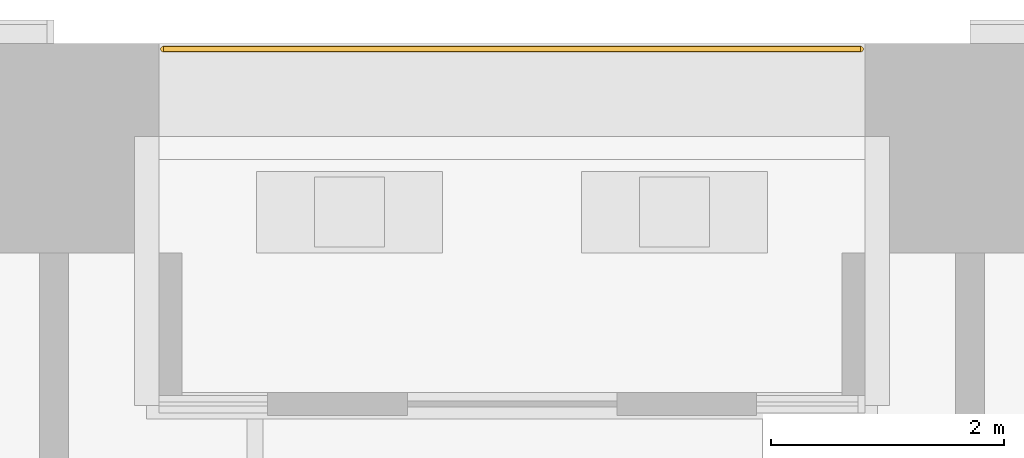
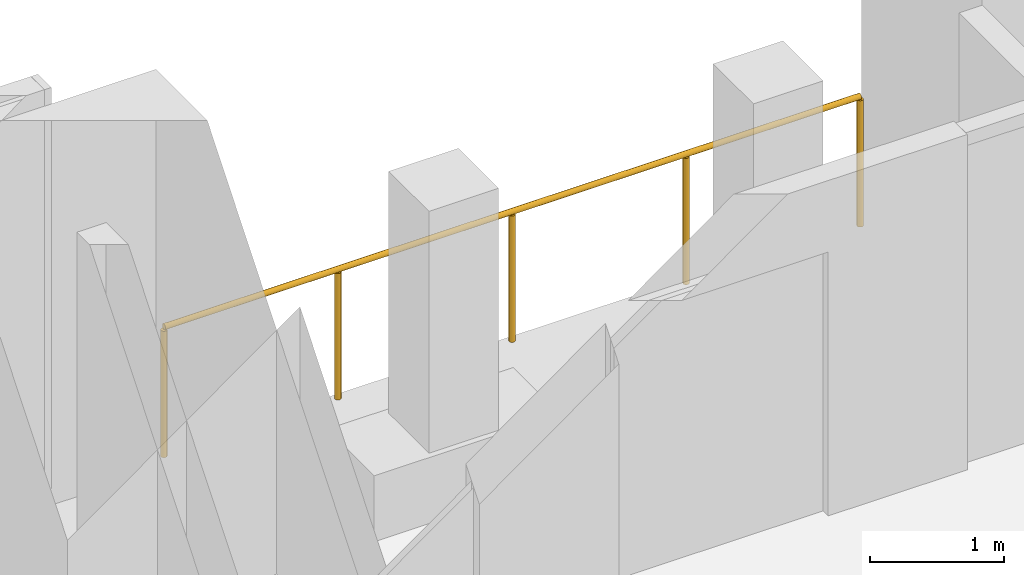
# One storey, part 27 of 28: 1 railing.
"""IFC4 building model written with IfcOpenShell, lengths in metres."""

from ifc_helpers import new_model, si_unit, direction, frame, origin, origin_2d, place, context, subcontext, project, spatial, circle, extrude, material, type_object, element, save


model = new_model("IFC4")

# Units and contexts
model_context = context("Model", 3, precision=1e-05, world=origin(), true_north=direction((0.0, 1.0)))
body_context = subcontext(model_context, "Body", "Model", "MODEL_VIEW")
ifc_project = project(units=[si_unit("LENGTHUNIT", "METRE"), si_unit("AREAUNIT", "SQUARE_METRE"), si_unit("VOLUMEUNIT", "CUBIC_METRE"), si_unit("PLANEANGLEUNIT", "RADIAN"), si_unit("MASSUNIT", "GRAM", prefix="KILO")], contexts=[model_context])

# Site, building, storey
site_placement = place(None, origin())
site = spatial("IfcSite", under=ifc_project, at=site_placement, CompositionType="ELEMENT")
building_placement = place(site_placement, origin())
building = spatial("IfcBuilding", under=site, at=building_placement, Name="Isthmus Gate Tower", CompositionType="ELEMENT")
storey_placement = place(building_placement, frame((0.0, 0.0, 68.85009765625)))
storey = spatial("IfcBuildingStorey", under=building, at=storey_placement, Name="L15", CompositionType="ELEMENT", Elevation=68.85009765625)

# Railing
ifc_material = material(Name="Toughened laminated glass with stainless steel posts", Category="steel")
railing_type = type_object("IfcRailingType", Name="GUARD 1200 FRAMELESS GLASS", PredefinedType="GUARDRAIL", material=ifc_material)
railing_placement = place(storey_placement, frame((-5.977294921875, 31.949951171875, 0.0)))
element("IfcRailing", 1, at=railing_placement, inside=storey, type_object=railing_type, Name="LOGGIA GUARD", PredefinedType="GUARDRAIL", context=body_context, shape_type="SweptSolid", body=[
    extrude(circle(Radius=0.02490234375, at=origin_2d()), frame((0.0, 0.0, 1.1748046875), z_axis=(-1.0, 0.0, 0.0), x_axis=(0.0, -1.0, 0.0)), (0.0, 0.0, 1.0), 5.989501953125),
    extrude(circle(Radius=0.02490234375, at=origin_2d()), origin(), (0.0, 0.0, 1.0), 1.14990234375),
    extrude(circle(Radius=0.02490234375, at=origin_2d()), frame((-1.497314453125, 0.0, 0.0)), (0.0, 0.0, 1.0), 1.14990234375),
    extrude(circle(Radius=0.02490234375, at=origin_2d()), frame((-2.99462890625, 0.0, 0.0)), (0.0, 0.0, 1.0), 1.14990234375),
    extrude(circle(Radius=0.02490234375, at=origin_2d()), frame((-4.4921875, 0.0, 0.0)), (0.0, 0.0, 1.0), 1.14990234375),
    extrude(circle(Radius=0.02490234375, at=origin_2d()), frame((-5.989501953125, 0.0, 0.0)), (0.0, 0.0, 1.0), 1.14990234375),
])

save(model, "model.ifc")
